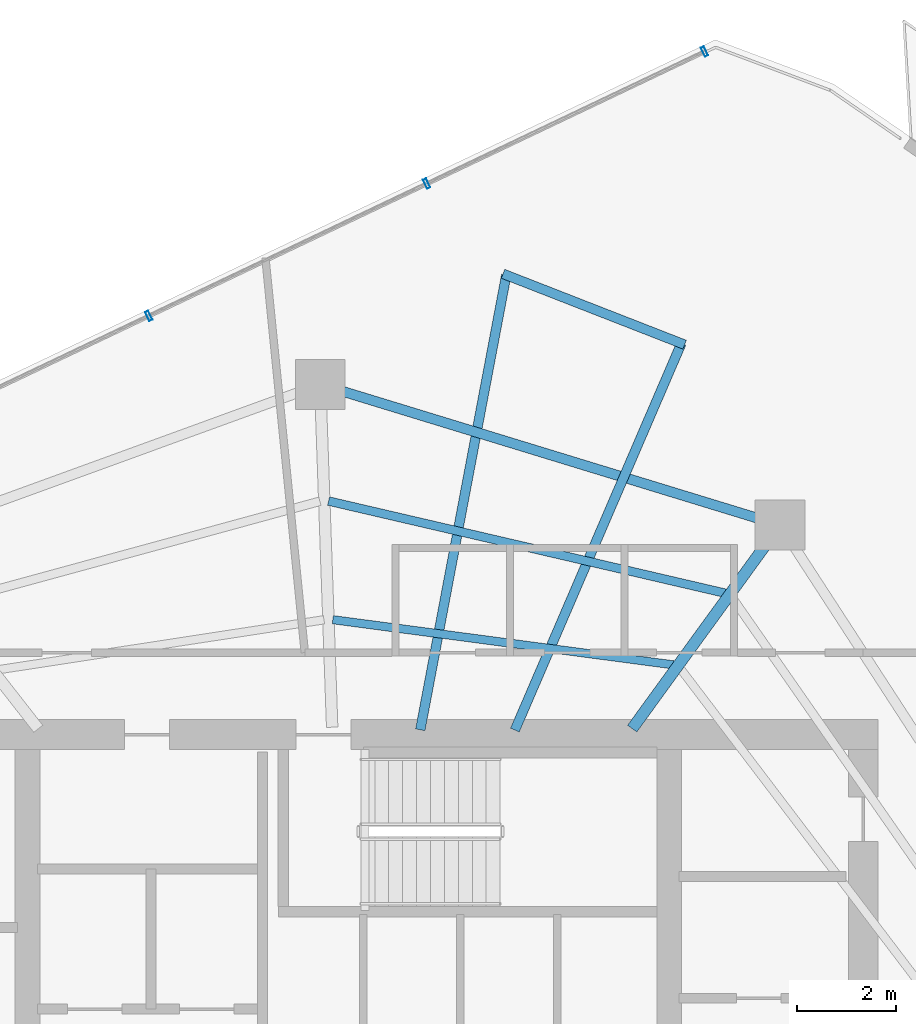
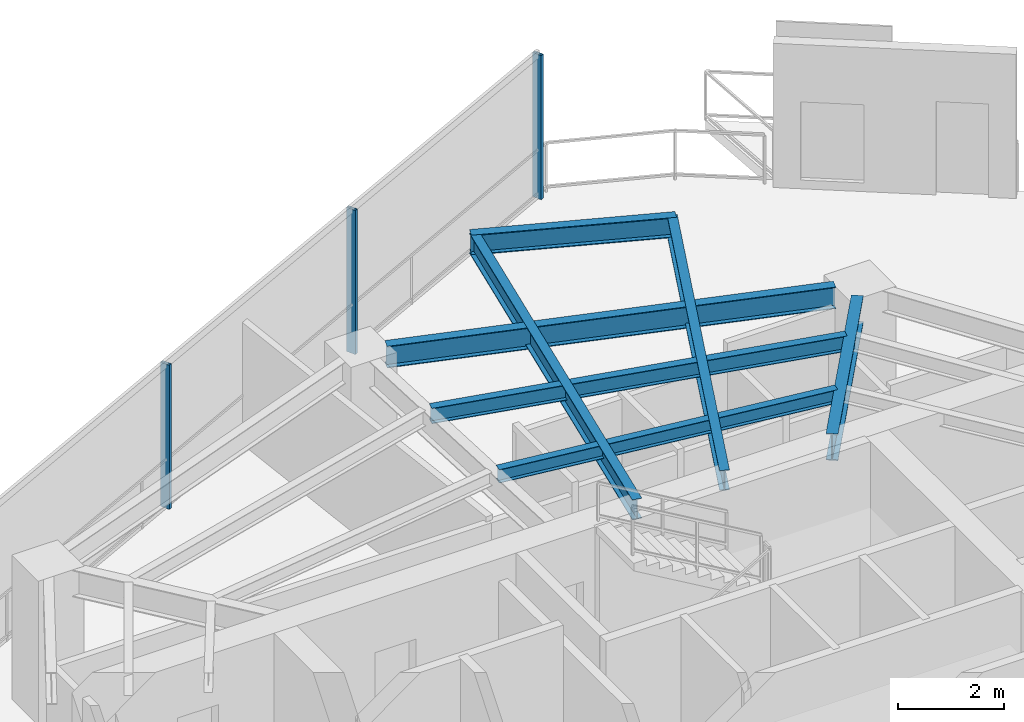
# One storey, part 14 of 21: 7 beams, 3 members, 1 element without a shape of its own.
"""IFC4 building model written with IfcOpenShell, lengths in metres."""

import ifcopenshell
import ifcopenshell.guid

model = None  # the IFC model being written
_history = None  # IfcOwnerHistory: only IFC2X3 demands one
_inside = {}  # id of a spatial element -> (the spatial element, [elements in it])
_under = {}  # id of a project, library or spatial element -> (it, [spatial elements below it])
_declared = {}  # id of a project -> (the project, [libraries it declares])
_typed = {}  # id of a type object -> (the type object, [elements of that type])
_made_of = {}  # id of a material, layer set ... -> (it, [elements and type objects made of it])


def new_model(schema):
    """Start an empty IFC model of exactly this schema.

    Asked for "IFC4X3", IfcOpenShell would pick the latest addendum, in which some entities
    have other attributes; the version numbers below select the first issue.
    IFC2X3 requires an IfcOwnerHistory on every rooted entity: one is made here for all.
    """
    global model, _history
    if schema == "IFC4X3":
        model = ifcopenshell.file(schema_version=(4, 3, 0, 0))
    else:
        model = ifcopenshell.file(schema=schema)
    _inside.clear()
    _under.clear()
    _declared.clear()
    _typed.clear()
    _made_of.clear()
    _history = None
    if model.schema == "IFC2X3":
        org = make("IfcOrganization", Name="unknown")
        user = make(
            "IfcPersonAndOrganization",
            ThePerson=make("IfcPerson", FamilyName="unknown"),
            TheOrganization=org,
        )
        app = make(
            "IfcApplication",
            ApplicationDeveloper=org,
            Version="unknown",
            ApplicationFullName="unknown",
            ApplicationIdentifier="unknown",
        )
        _history = make(
            "IfcOwnerHistory",
            OwningUser=user,
            OwningApplication=app,
            ChangeAction="ADDED",
            CreationDate=0,
        )
    return model


def make(cls, **values):
    """One entity of the class cls with the attributes given. An attribute that is None is left unset."""
    return model.create_entity(
        cls, **{name: value for name, value in values.items() if value is not None}
    )


def rooted(cls, **values):
    """An entity with a GlobalId (a new one), such as an element, a storey or a relation."""
    return make(cls, GlobalId=ifcopenshell.guid.new(), OwnerHistory=_history, **values)


def si_unit(unit_type, name, prefix=None):
    """IfcSIUnit, for example si_unit("LENGTHUNIT", "METRE", prefix="MILLI")."""
    return make("IfcSIUnit", UnitType=unit_type, Prefix=prefix, Name=name)


def assignment(units):
    """IfcUnitAssignment: the units of a project."""
    return None if units is None else make("IfcUnitAssignment", Units=units)


def point(xyz):
    """IfcCartesianPoint."""
    return None if xyz is None else make("IfcCartesianPoint", Coordinates=xyz)


def direction(xyz):
    """IfcDirection."""
    return None if xyz is None else make("IfcDirection", DirectionRatios=xyz)


def frame(location, z_axis=None, x_axis=None):
    """IfcAxis2Placement3D, a coordinate frame: its origin and axes. An axis left out is left unset."""
    return make(
        "IfcAxis2Placement3D",
        Location=point(location),
        Axis=direction(z_axis),
        RefDirection=direction(x_axis),
    )


def frame_2d(location, x_axis=None):
    """IfcAxis2Placement2D, a coordinate frame in the plane: its origin and x axis."""
    return make(
        "IfcAxis2Placement2D", Location=point(location), RefDirection=direction(x_axis)
    )


def origin():
    """The frame at (0, 0, 0) with its axes left unset."""
    return frame((0.0, 0.0, 0.0))


def origin_2d():
    """The frame at (0, 0) in the plane with its x axis left unset."""
    return frame_2d((0.0, 0.0))


def place(relative_to, where):
    """IfcLocalPlacement: puts the frame where relative to a parent placement (None: the world)."""
    return make(
        "IfcLocalPlacement", PlacementRelTo=relative_to, RelativePlacement=where
    )


def context(
    kind, dimensions, precision=None, world=None, true_north=None, identifier=None
):
    """IfcGeometricRepresentationContext, for example the 3D "Model" context."""
    return make(
        "IfcGeometricRepresentationContext",
        ContextIdentifier=identifier,
        ContextType=kind,
        CoordinateSpaceDimension=dimensions,
        Precision=precision,
        WorldCoordinateSystem=world,
        TrueNorth=true_north,
    )


def subcontext(parent, identifier, kind, view, scale=None):
    """IfcGeometricRepresentationSubContext, for example "Body" below "Model"."""
    return make(
        "IfcGeometricRepresentationSubContext",
        ContextIdentifier=identifier,
        ContextType=kind,
        ParentContext=parent,
        TargetScale=scale,
        TargetView=view,
    )


def project(units=None, contexts=None):
    """IfcProject with its units and contexts."""
    return rooted(
        "IfcProject",
        Name="project",
        RepresentationContexts=contexts,
        UnitsInContext=assignment(units),
    )


def spatial(cls, under=None, at=None, **own):
    """A site, building, storey or space (cls), placed at a placement, below another one or the project."""
    s = rooted(cls, ObjectPlacement=at, **own)
    if under is not None:
        _under.setdefault(under.id(), (under, []))[1].append(s)
    return s


def profile(cls, at=None, kind="AREA", **sizes):
    """A parametric profile (cls). Its sizes go by their IFC names, for example OverallWidth=200.0."""
    return make(cls, ProfileType=kind, Position=at, **sizes)


def hollow_rectangle(**sizes):
    """IfcRectangleHollowProfileDef."""
    return profile("IfcRectangleHollowProfileDef", **sizes)


def i_section(**sizes):
    """IfcIShapeProfileDef."""
    return profile("IfcIShapeProfileDef", **sizes)


def extrude(swept, where, along, depth):
    """IfcExtrudedAreaSolid: the profile swept, set in the frame where, extruded along a direction by depth."""
    return make(
        "IfcExtrudedAreaSolid",
        SweptArea=swept,
        Position=where,
        ExtrudedDirection=direction(along),
        Depth=depth,
    )


def shape(context_of_items, identifier, shape_type, items):
    """IfcShapeRepresentation: the items that make up one representation, for example the "Body"."""
    return make(
        "IfcShapeRepresentation",
        ContextOfItems=context_of_items,
        RepresentationIdentifier=identifier,
        RepresentationType=shape_type,
        Items=items,
    )


def material(Name=None, Category=None):
    """IfcMaterial."""
    return make("IfcMaterial", Name=Name, Category=Category)


def layer(
    of_material, thickness, ventilated=None, Name=None, Category=None, Priority=None
):
    """IfcMaterialLayer: one layer of a wall or slab, of a material (None: an air gap)."""
    return make(
        "IfcMaterialLayer",
        Material=of_material,
        LayerThickness=thickness,
        IsVentilated=ventilated,
        Name=Name,
        Category=Category,
        Priority=Priority,
    )


def layer_set(layers, Name=None):
    """IfcMaterialLayerSet."""
    return make("IfcMaterialLayerSet", MaterialLayers=layers, LayerSetName=Name)


def material_profile(
    of_material, cross_section, Name=None, Category=None, Priority=None
):
    """IfcMaterialProfile: a cross section and its material."""
    return make(
        "IfcMaterialProfile",
        Name=Name,
        Material=of_material,
        Profile=cross_section,
        Priority=Priority,
        Category=Category,
    )


def profile_set(profiles, Name=None, composite=None):
    """IfcMaterialProfileSet."""
    return make(
        "IfcMaterialProfileSet",
        Name=Name,
        MaterialProfiles=profiles,
        CompositeProfile=composite,
    )


def made_of(thing, what):
    """Note that an element or type object is made of a material, layer set ...; save() writes the relation."""
    if what is not None:
        _made_of.setdefault(what.id(), (what, []))[1].append(thing)
    return thing


def type_object(cls, material=None, **own):
    """A type object (cls), such as IfcWallType, which elements share."""
    return made_of(rooted(cls, **own), material)


def element(
    cls,
    number,
    at=None,
    inside=None,
    cuts=None,
    type_object=None,
    material=None,
    context=None,
    identifier="Body",
    shape_type=None,
    held_by="IfcProductDefinitionShape",
    body=None,
    shapes=None,
    **own,
):
    """One element of the class cls, such as IfcWall. Its Tag is "e" and its number.

    at: its placement. inside: the storey or other place that contains it. cuts: it is an
    opening in that element (IfcRelVoidsElement). A single representation is given by context,
    identifier, shape_type and body (its items); several are given by shapes. held_by: the class
    of the entity that holds the representations. save() writes the other relations.
    """
    e = rooted(cls, Tag="e%d" % number, ObjectPlacement=at, **own)
    if body is not None:
        shapes = [shape(context, identifier, shape_type, body)]
    if shapes is not None:
        e.Representation = make(held_by, Representations=shapes)
    if inside is not None:
        _inside.setdefault(inside.id(), (inside, []))[1].append(e)
    if cuts is not None:
        rooted(
            "IfcRelVoidsElement", RelatingBuildingElement=cuts, RelatedOpeningElement=e
        )
    if type_object is not None:
        _typed.setdefault(type_object.id(), (type_object, []))[1].append(e)
    return made_of(e, material)


def aggregate(whole, parts):
    """IfcRelAggregates: a whole, such as a stair, and the parts it consists of."""
    return rooted("IfcRelAggregates", RelatingObject=whole, RelatedObjects=parts)


def save(model, path):
    """Write the relations noted so far, then the file.

    IfcRelAggregates (storeys below a building ...), IfcRelContainedInSpatialStructure (elements
    in a storey), IfcRelDefinesByType, IfcRelAssociatesMaterial and IfcRelDeclares: one each for
    every whole, place, type object, material and project.
    """
    for whole, parts in _under.values():
        aggregate(whole, parts)
    for where, things in _inside.values():
        rooted(
            "IfcRelContainedInSpatialStructure",
            RelatedElements=things,
            RelatingStructure=where,
        )
    for kind, things in _typed.values():
        rooted("IfcRelDefinesByType", RelatedObjects=things, RelatingType=kind)
    for what, things in _made_of.values():
        rooted("IfcRelAssociatesMaterial", RelatedObjects=things, RelatingMaterial=what)
    for by, libraries in _declared.values():
        rooted("IfcRelDeclares", RelatingContext=by, RelatedDefinitions=libraries)
    model.write(path)


model = new_model("IFC4")

# Units and contexts
model_context = context("Model", 3, precision=1e-05, world=origin(), true_north=direction((0.0, 1.0)))
body_context = subcontext(model_context, "Body", "Model", "MODEL_VIEW")
ifc_project = project(units=[si_unit("LENGTHUNIT", "METRE"), si_unit("AREAUNIT", "SQUARE_METRE"), si_unit("VOLUMEUNIT", "CUBIC_METRE"), si_unit("PLANEANGLEUNIT", "RADIAN"), si_unit("MASSUNIT", "GRAM", prefix="KILO")], contexts=[model_context])

# Site, building, storey
site_placement = place(None, origin())
site = spatial("IfcSite", under=ifc_project, at=site_placement, CompositionType="ELEMENT")
building_placement = place(site_placement, origin())
building = spatial("IfcBuilding", under=site, at=building_placement, Name="Qarnah Convention Tower", CompositionType="ELEMENT")
storey_placement = place(building_placement, frame((0.0, 0.0, 161.699951171875)))
storey = spatial("IfcBuildingStorey", under=building, at=storey_placement, Name="L43", CompositionType="ELEMENT", Elevation=161.699951171875)

# Beams
ifc_material_1 = material(Name="Structural steel S355JR", Category="steel")
ifc_material_profile_1 = material_profile(ifc_material_1, i_section(OverallWidth=0.19189453125, OverallDepth=0.464111328125, WebThickness=0.010986328125, FlangeThickness=0.01806640625, at=origin_2d()), Name="W460X89")
ifc_profile_set_1 = profile_set([ifc_material_profile_1], Name="Structural steel S355JR")
beam_type_1 = type_object("IfcBeamType", Name="BM-CANT-W460A", PredefinedType="BEAM", material=ifc_profile_set_1)
beam_1_placement = place(storey_placement, frame((40.596923828125, 34.2919921875, 3.088134765625), z_axis=(0.395464433699, 0.918481290871, 0.0), x_axis=(-0.918481290871, 0.395464433699, 0.0)))
element("IfcBeam", 1, at=beam_1_placement, inside=storey, type_object=beam_type_1, Name="L43 beam BM-L43-CNT-01-1", PredefinedType="BEAM", context=body_context, shape_type="SweptSolid", body=[
    extrude(i_section(OverallWidth=0.19189453125, OverallDepth=0.464111328125, WebThickness=0.010986328125, FlangeThickness=0.01806640625, at=origin_2d()), origin(), (0.0, 0.0, 1.0), 8.4638671875),
])
beam_2_placement = place(storey_placement, frame((38.695068359375, 34.298095703125, 3.088134765625), z_axis=(0.185817043038, 0.982584361018, 0.0), x_axis=(-0.982584361018, 0.185817043038, 0.0)))
element("IfcBeam", 2, at=beam_2_placement, inside=storey, type_object=beam_type_1, Name="L43 beam BM-L43-CNT-01-2", PredefinedType="BEAM", context=body_context, shape_type="SweptSolid", body=[
    extrude(i_section(OverallWidth=0.19189453125, OverallDepth=0.464111328125, WebThickness=0.010986328125, FlangeThickness=0.01806640625, at=origin_2d()), origin(), (0.0, 0.0, 1.0), 9.304931640625),
])
beam_3_placement = place(storey_placement, frame((44.009033203125, 42.041015625, 3.088134765625), z_axis=(-0.931525629959, 0.363675680695, 0.0), x_axis=(-0.363675680695, -0.931525629959, 0.0)))
element("IfcBeam", 3, at=beam_3_placement, inside=storey, type_object=beam_type_1, Name="L43 spandrel BM-L43-CTIE-01", PredefinedType="SPANDREL", context=body_context, shape_type="SweptSolid", body=[
    extrude(i_section(OverallWidth=0.19189453125, OverallDepth=0.464111328125, WebThickness=0.010986328125, FlangeThickness=0.01806640625, at=origin_2d()), origin(), (0.0, 0.0, 1.0), 3.91845703125),
])
ifc_material_profile_2 = material_profile(ifc_material_1, i_section(OverallWidth=0.166015625, OverallDepth=0.31201171875, WebThickness=0.007080078125, FlangeThickness=0.010986328125, at=origin_2d()), Name="W310X45")
ifc_profile_set_2 = profile_set([ifc_material_profile_2], Name="Structural steel S355JR")
beam_type_2 = type_object("IfcBeamType", Name="BM-JST-W310", PredefinedType="JOIST", material=ifc_profile_set_2)
beam_4_placement = place(storey_placement, frame((43.7880859375, 35.60302734375, 3.1640625), z_axis=(-0.991316211877, 0.131499688478, 0.0), x_axis=(-0.131499688478, -0.991316211877, 0.0)))
element("IfcBeam", 4, at=beam_4_placement, inside=storey, type_object=beam_type_2, Name="L43 joist BM-L43-IJST-02", PredefinedType="JOIST", context=body_context, shape_type="SweptSolid", body=[
    extrude(i_section(OverallWidth=0.166015625, OverallDepth=0.31201171875, WebThickness=0.007080078125, FlangeThickness=0.010986328125, at=origin_2d()), origin(), (0.0, 0.0, 1.0), 6.912109375),
])
ifc_material_profile_3 = material_profile(ifc_material_1, i_section(OverallWidth=0.172119140625, OverallDepth=0.35595703125, WebThickness=0.007080078125, FlangeThickness=0.011962890625, at=origin_2d()), Name="W360X51")
ifc_profile_set_3 = profile_set([ifc_material_profile_3], Name="Structural steel S355JR")
beam_type_3 = type_object("IfcBeamType", Name="BM-JST-W360", PredefinedType="JOIST", material=ifc_profile_set_3)
beam_5_placement = place(storey_placement, frame((44.8310546875, 37.04296875, 3.14208984375), z_axis=(-0.974056627147, 0.226304412487, 0.0), x_axis=(-0.226304412487, -0.974056627147, 0.0)))
element("IfcBeam", 5, at=beam_5_placement, inside=storey, type_object=beam_type_3, Name="L43 joist BM-L43-SJST-02", PredefinedType="JOIST", context=body_context, shape_type="SweptSolid", body=[
    extrude(i_section(OverallWidth=0.172119140625, OverallDepth=0.35595703125, WebThickness=0.007080078125, FlangeThickness=0.011962890625, at=origin_2d()), origin(), (0.0, 0.0, 1.0), 8.192626953125),
])
ifc_material_profile_4 = material_profile(ifc_material_1, i_section(OverallWidth=0.22998046875, OverallDepth=0.617919921875, WebThickness=0.012939453125, FlangeThickness=0.02197265625, at=origin_2d()), Name="W610X140")
ifc_profile_set_4 = profile_set([ifc_material_profile_4], Name="Structural steel S355JR")
beam_type_4 = type_object("IfcBeamType", Name="BM-RAD-W610A", PredefinedType="BEAM", material=ifc_profile_set_4)
beam_6_placement = place(storey_placement, frame((42.955078125, 34.321044921875, 3.010986328125), z_axis=(0.58781027487, 0.808998813817, 0.0), x_axis=(-0.808998813817, 0.58781027487, 0.0)))
element("IfcBeam", 6, at=beam_6_placement, inside=storey, type_object=beam_type_4, Name="L43 beam BM-L43-RAD-02", PredefinedType="BEAM", context=body_context, shape_type="SweptSolid", body=[
    extrude(i_section(OverallWidth=0.22998046875, OverallDepth=0.617919921875, WebThickness=0.012939453125, FlangeThickness=0.02197265625, at=origin_2d()), origin(), (0.0, 0.0, 1.0), 4.57958984375),
])
ifc_material_profile_5 = material_profile(ifc_material_1, i_section(OverallWidth=0.199951171875, OverallDepth=0.5, WebThickness=0.010009765625, FlangeThickness=0.01611328125, at=origin_2d()), Name="IPE500")
ifc_profile_set_5 = profile_set([ifc_material_profile_5], Name="Structural steel S355JR")
beam_type_5 = type_object("IfcBeamType", Name="BM-SPN-IPE500", PredefinedType="SPANDREL", material=ifc_profile_set_5)
beam_7_placement = place(storey_placement, frame((45.4599609375, 38.556884765625, 3.070068359375), z_axis=(-0.956283054976, 0.292442676035, 0.0), x_axis=(-0.292442676035, -0.956283054976, 0.0)))
element("IfcBeam", 7, at=beam_7_placement, inside=storey, type_object=beam_type_5, Name="L43 spandrel BM-L43-SPN-02", PredefinedType="SPANDREL", context=body_context, shape_type="SweptSolid", body=[
    extrude(i_section(OverallWidth=0.199951171875, OverallDepth=0.5, WebThickness=0.010009765625, FlangeThickness=0.01611328125, at=origin_2d()), origin(), (0.0, 0.0, 1.0), 8.68896484375),
])

# Curtain wall, members
ifc_material_2 = material(Name="Tempered Low-E dark glass", Category="glass")
ifc_layer = layer(ifc_material_2, 0.172119140625)
ifc_layer_set = layer_set([ifc_layer], Name="Tempered Low-E dark glass")
curtain_wall_type = type_object("IfcCurtainWallType", Name="CWS-03", PredefinedType="NOTDEFINED", material=ifc_layer_set)
curtain_wall_placement = place(storey_placement, origin())
curtain_wall = element("IfcCurtainWall", 8, at=curtain_wall_placement, inside=storey, type_object=curtain_wall_type, Name="L43 unitised curtain wall CW-L43-F2", PredefinedType="NOTDEFINED")
ifc_material_3 = material(Name="Black anodised aluminium", Category="aluminium")
ifc_material_profile_6 = material_profile(ifc_material_3, hollow_rectangle(XDim=0.070068359375, YDim=0.199951171875, WallThickness=0.0048828125, at=origin_2d()), Name="MUL-70X200")
ifc_profile_set_6 = profile_set([ifc_material_profile_6], Name="Black anodised aluminium")
member_type = type_object("IfcMemberType", Name="MUL-T3", PredefinedType="MULLION", material=ifc_profile_set_6)
member_1_placement = place(storey_placement, frame((33.23681640625, 42.621337890625, 0.0), z_axis=(0.0, 0.0, 1.0), x_axis=(0.903049301715, 0.429536911885, 0.0)))
member_1 = element("IfcMember", 9, at=member_1_placement, type_object=member_type, Name="CW-L43-F2 mullion 4", PredefinedType="MULLION", context=body_context, shape_type="SweptSolid", body=[
    extrude(hollow_rectangle(XDim=0.070068359375, YDim=0.199951171875, WallThickness=0.0048828125, at=origin_2d()), origin(), (0.0, 0.0, 1.0), 3.320068359375),
])
member_2_placement = place(storey_placement, frame((38.822509765625, 45.2783203125, 0.0), z_axis=(0.0, 0.0, 1.0), x_axis=(0.903049301715, 0.429536911885, 0.0)))
member_2 = element("IfcMember", 10, at=member_2_placement, type_object=member_type, Name="CW-L43-F2 mullion 5", PredefinedType="MULLION", context=body_context, shape_type="SweptSolid", body=[
    extrude(hollow_rectangle(XDim=0.070068359375, YDim=0.199951171875, WallThickness=0.0048828125, at=origin_2d()), origin(), (0.0, 0.0, 1.0), 3.320068359375),
])
member_3_placement = place(storey_placement, frame((44.407958984375, 47.93505859375, 0.0), z_axis=(0.0, 0.0, 1.0), x_axis=(0.903049301715, 0.429536911885, 0.0)))
member_3 = element("IfcMember", 11, at=member_3_placement, type_object=member_type, Name="CW-L43-F2 mullion 6", PredefinedType="MULLION", context=body_context, shape_type="SweptSolid", body=[
    extrude(hollow_rectangle(XDim=0.070068359375, YDim=0.199951171875, WallThickness=0.0048828125, at=origin_2d()), origin(), (0.0, 0.0, 1.0), 3.320068359375),
])
aggregate(curtain_wall, [member_1, member_2, member_3])

save(model, "model.ifc")
